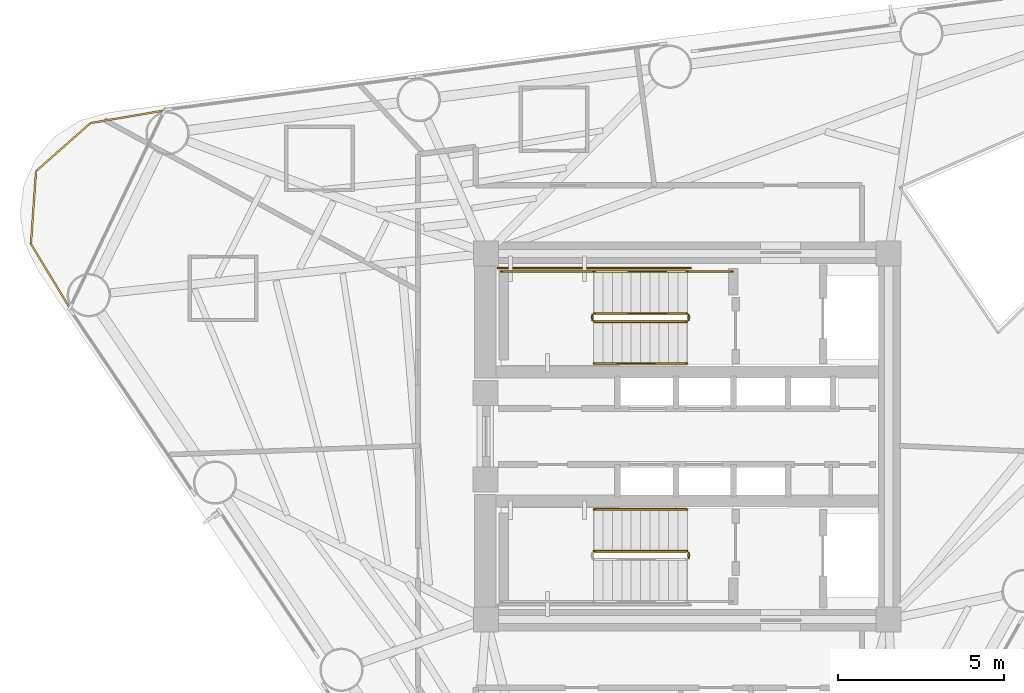
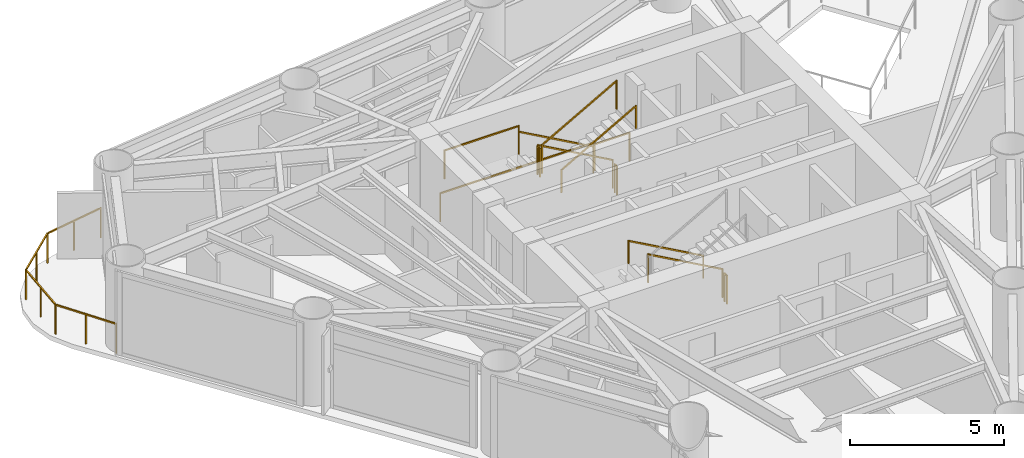
# One storey, part 8 of 9: 13 railings.
"""IFC4 building model written with IfcOpenShell, lengths in metres."""

from ifc_helpers import new_model, si_unit, direction, frame, origin, origin_2d, place, context, subcontext, project, spatial, rectangle, extrude, material, type_object, element, save


model = new_model("IFC4")

# Units and contexts
model_context = context("Model", 3, precision=1e-05, world=origin(), true_north=direction((0.0, 1.0)))
body_context = subcontext(model_context, "Body", "Model", "MODEL_VIEW")
ifc_project = project(units=[si_unit("LENGTHUNIT", "METRE"), si_unit("AREAUNIT", "SQUARE_METRE"), si_unit("VOLUMEUNIT", "CUBIC_METRE"), si_unit("PLANEANGLEUNIT", "RADIAN"), si_unit("MASSUNIT", "GRAM", prefix="KILO")], contexts=[model_context])

# Site, building, storey
site_placement = place(None, origin())
site = spatial("IfcSite", under=ifc_project, at=site_placement, CompositionType="ELEMENT")
building_placement = place(site_placement, origin())
building = spatial("IfcBuilding", under=site, at=building_placement, Name="Yunling Apex Tower", CompositionType="ELEMENT")
storey_placement = place(building_placement, frame((0.0, 0.0, 172.550048828125)))
storey = spatial("IfcBuildingStorey", under=building, at=storey_placement, Name="L42", CompositionType="ELEMENT", Elevation=172.550048828125)

# Railings
ifc_material_1 = material(Name="Bronze anodised aluminium", Category="aluminium")
railing_type_1 = type_object("IfcRailingType", Name="RL-BAL-1200", PredefinedType="BALUSTRADE", material=ifc_material_1)
railing_1_placement = place(storey_placement, frame((-18.567138671875, 3.859375, 0.0)))
element("IfcRailing", 1, at=railing_1_placement, inside=storey, type_object=railing_type_1, Name="RL-CRNSILL-L42-2", PredefinedType="BALUSTRADE", context=body_context, shape_type="SweptSolid", body=[
    extrude(rectangle(XDim=0.0439453125, YDim=0.0439453125, at=origin_2d()), origin(), (0.0, 0.0, 1.0), 1.199951171875),
    extrude(rectangle(XDim=0.0439453125, YDim=0.0439453125, at=origin_2d()), frame((-1.1669921875, 1.927001953125, 0.0)), (0.0, 0.0, 1.0), 1.199951171875),
    extrude(rectangle(XDim=0.050048828125, YDim=0.050048828125, at=origin_2d()), frame((-0.019775390625, 0.03271484375, 1.1748046875), z_axis=(-0.518013473605, 0.855372457566, 0.0), x_axis=(-0.855372457566, -0.518013473605, 0.0)), (0.0, 0.0, 1.0), 2.17626953125),
    extrude(rectangle(XDim=0.0439453125, YDim=0.0439453125, at=origin_2d()), frame((-0.58349609375, 0.96337890625, 0.0)), (0.0, 0.0, 1.0), 1.14599609375),
    extrude(rectangle(XDim=0.0439453125, YDim=0.0439453125, at=origin_2d()), frame((-1.015380859375, 4.114501953125, 0.0)), (0.0, 0.0, 1.0), 1.199951171875),
    extrude(rectangle(XDim=0.050048828125, YDim=0.050048828125, at=origin_2d()), frame((-1.164306640625, 1.96533203125, 1.1748046875), z_axis=(0.069142168872, 0.997606816578, 0.0), x_axis=(-0.997606816578, 0.069142168872, 0.0)), (0.0, 0.0, 1.0), 2.115966796875),
    extrude(rectangle(XDim=0.0439453125, YDim=0.0439453125, at=origin_2d()), frame((-1.09130859375, 3.020751953125, 0.0)), (0.0, 0.0, 1.0), 1.14599609375),
    extrude(rectangle(XDim=0.0439453125, YDim=0.0439453125, at=origin_2d()), frame((0.623046875, 5.560791015625, 0.0)), (0.0, 0.0, 1.0), 1.199951171875),
    extrude(rectangle(XDim=0.050048828125, YDim=0.050048828125, at=origin_2d()), frame((-0.986572265625, 4.139892578125, 1.1748046875), z_axis=(0.749697655483, 0.661780496361, 0.0), x_axis=(-0.661780496361, 0.749697655483, 0.0)), (0.0, 0.0, 1.0), 2.10888671875),
    extrude(rectangle(XDim=0.0439453125, YDim=0.0439453125, at=origin_2d()), frame((-0.1962890625, 4.837646484375, 0.0)), (0.0, 0.0, 1.0), 1.14599609375),
    extrude(rectangle(XDim=0.0439453125, YDim=0.0439453125, at=origin_2d()), frame((2.8447265625, 5.93896484375, 0.0)), (0.0, 0.0, 1.0), 1.199951171875),
    extrude(rectangle(XDim=0.050048828125, YDim=0.050048828125, at=origin_2d()), frame((0.660888671875, 5.567138671875, 1.1748046875), z_axis=(0.985820025914, 0.167806068147, 0.0), x_axis=(-0.167806068147, 0.985820025914, 0.0)), (0.0, 0.0, 1.0), 2.177001953125),
    extrude(rectangle(XDim=0.0439453125, YDim=0.0439453125, at=origin_2d()), frame((1.73388671875, 5.75, 0.0)), (0.0, 0.0, 1.0), 1.14599609375),
])
ifc_material_2 = material(Name="Steel Q355B", Category="steel")
railing_type_2 = type_object("IfcRailingType", Name="RL-GRD-1150", PredefinedType="GUARDRAIL", material=ifc_material_2)
railing_2_placement = place(storey_placement, frame((-0.010009765625, 3.699951171875, 0.15673828125)))
element("IfcRailing", 2, at=railing_2_placement, inside=storey, type_object=railing_type_2, Name="L42 ST-1 stair guard 1", PredefinedType="GUARDRAIL", context=body_context, shape_type="SweptSolid", body=[
    extrude(rectangle(XDim=0.0439453125, YDim=0.0439453125, at=origin_2d()), origin(), (0.0, 0.0, 1.0), 1.14990234375),
    extrude(rectangle(XDim=0.0439453125, YDim=0.0439453125, at=origin_2d()), frame((-2.800048828125, 0.0, 1.568115234375)), (0.0, 0.0, 1.0), 1.14990234375),
    extrude(rectangle(XDim=0.050048828125, YDim=0.050048828125, at=origin_2d()), frame((-0.033447265625, 0.0, 1.1435546875), z_axis=(-0.872494340497, 0.0, 0.48862421737), x_axis=(0.0, -1.0, 0.0)), (0.0, 0.0, 1.0), 3.132568359375),
])
railing_3_placement = place(storey_placement, frame((-2.860107421875, 3.64990234375, 1.724853515625)))
element("IfcRailing", 3, at=railing_3_placement, inside=storey, type_object=railing_type_2, Name="L42 ST-1 stair guard 2", PredefinedType="GUARDRAIL", context=body_context, shape_type="SweptSolid", body=[
    extrude(rectangle(XDim=0.0439453125, YDim=0.0439453125, at=origin_2d()), origin(), (0.0, 0.0, 1.0), 1.14990234375),
    extrude(rectangle(XDim=0.0439453125, YDim=0.0439453125, at=origin_2d()), frame((0.0, -0.14990234375, 0.0)), (0.0, 0.0, 1.0), 1.14990234375),
    extrude(rectangle(XDim=0.050048828125, YDim=0.050048828125, at=origin_2d()), frame((0.0, -0.038330078125, 1.125), z_axis=(0.0, -1.0, 0.0), x_axis=(1.0, 0.0, 0.0)), (0.0, 0.0, 1.0), 0.0732421875),
])
railing_4_placement = place(storey_placement, frame((-2.81005859375, 4.9599609375, 1.724853515625)))
element("IfcRailing", 4, at=railing_4_placement, inside=storey, type_object=railing_type_2, Name="L42 ST-1 stair guard 3", PredefinedType="GUARDRAIL", context=body_context, shape_type="SweptSolid", body=[
    extrude(rectangle(XDim=0.0439453125, YDim=0.0439453125, at=origin_2d()), origin(), (0.0, 0.0, 1.0), 1.14990234375),
    extrude(rectangle(XDim=0.0439453125, YDim=0.0439453125, at=origin_2d()), frame((-2.7900390625, 0.0, 0.0)), (0.0, 0.0, 1.0), 1.14990234375),
    extrude(rectangle(XDim=0.050048828125, YDim=0.050048828125, at=origin_2d()), frame((-0.038330078125, 0.0, 1.125), z_axis=(-1.0, 0.0, 0.0), x_axis=(0.0, -1.0, 0.0)), (0.0, 0.0, 1.0), 2.71337890625),
])
railing_5_placement = place(storey_placement, frame((-2.81005859375, 3.449951171875, 1.8818359375)))
element("IfcRailing", 5, at=railing_5_placement, inside=storey, type_object=railing_type_2, Name="L42 ST-1 stair guard 4", PredefinedType="GUARDRAIL", context=body_context, shape_type="SweptSolid", body=[
    extrude(rectangle(XDim=0.0439453125, YDim=0.0439453125, at=origin_2d()), origin(), (0.0, 0.0, 1.0), 1.14990234375),
    extrude(rectangle(XDim=0.0439453125, YDim=0.0439453125, at=origin_2d()), frame((2.800048828125, 0.0, 1.568115234375)), (0.0, 0.0, 1.0), 1.14990234375),
    extrude(rectangle(XDim=0.050048828125, YDim=0.050048828125, at=origin_2d()), frame((0.033447265625, 0.0, 1.1435546875), z_axis=(0.872494340497, 0.0, 0.48862421737), x_axis=(0.0, 1.0, 0.0)), (0.0, 0.0, 1.0), 3.132568359375),
])
railing_6_placement = place(storey_placement, frame((0.0400390625, 3.64990234375, 0.0)))
element("IfcRailing", 6, at=railing_6_placement, inside=storey, type_object=railing_type_2, Name="L42 ST-1 stair guard 5", PredefinedType="GUARDRAIL", context=body_context, shape_type="SweptSolid", body=[
    extrude(rectangle(XDim=0.0439453125, YDim=0.0439453125, at=origin_2d()), origin(), (0.0, 0.0, 1.0), 1.14990234375),
    extrude(rectangle(XDim=0.0439453125, YDim=0.0439453125, at=origin_2d()), frame((0.0, -0.14990234375, 0.0)), (0.0, 0.0, 1.0), 1.14990234375),
    extrude(rectangle(XDim=0.050048828125, YDim=0.050048828125, at=origin_2d()), frame((0.0, -0.038330078125, 1.125), z_axis=(0.0, -1.0, 0.0), x_axis=(1.0, 0.0, 0.0)), (0.0, 0.0, 1.0), 0.0732421875),
])
railing_7_placement = place(storey_placement, frame((1.35009765625, 4.9599609375, 0.0)))
element("IfcRailing", 7, at=railing_7_placement, inside=storey, type_object=railing_type_2, Name="L42 ST-1 stair guard 6", PredefinedType="GUARDRAIL", context=body_context, shape_type="SweptSolid", body=[
    extrude(rectangle(XDim=0.0439453125, YDim=0.0439453125, at=origin_2d()), origin(), (0.0, 0.0, 1.0), 1.14990234375),
    extrude(rectangle(XDim=0.0439453125, YDim=0.0439453125, at=origin_2d()), frame((-1.360107421875, 0.0, 0.0)), (0.0, 0.0, 1.0), 1.14990234375),
    extrude(rectangle(XDim=0.050048828125, YDim=0.050048828125, at=origin_2d()), frame((-0.038330078125, 0.0, 1.125), z_axis=(-1.0, 0.0, 0.0), x_axis=(0.0, -1.0, 0.0)), (0.0, 0.0, 1.0), 1.283447265625),
])
railing_8_placement = place(storey_placement, frame((0.090087890625, 5.06005859375, 0.0)))
element("IfcRailing", 8, at=railing_8_placement, inside=storey, type_object=railing_type_2, Name="L42 ST-1 stair guard 7", PredefinedType="GUARDRAIL", context=body_context, shape_type="SweptSolid", body=[
    extrude(rectangle(XDim=0.0439453125, YDim=0.0439453125, at=origin_2d()), origin(), (0.0, 0.0, 1.0), 1.14990234375),
    extrude(rectangle(XDim=0.0439453125, YDim=0.0439453125, at=origin_2d()), frame((-5.7900390625, 0.0, 0.0)), (0.0, 0.0, 1.0), 1.14990234375),
    extrude(rectangle(XDim=0.050048828125, YDim=0.050048828125, at=origin_2d()), frame((-0.038330078125, 0.0, 1.125), z_axis=(-1.0, 0.0, 0.0), x_axis=(0.0, -1.0, 0.0)), (0.0, 0.0, 1.0), 5.71337890625),
])
railing_9_placement = place(storey_placement, frame((-0.010009765625, -3.449951171875, 0.15673828125)))
element("IfcRailing", 9, at=railing_9_placement, inside=storey, type_object=railing_type_2, Name="L42 ST-2 stair guard 1", PredefinedType="GUARDRAIL", context=body_context, shape_type="SweptSolid", body=[
    extrude(rectangle(XDim=0.0439453125, YDim=0.0439453125, at=origin_2d()), origin(), (0.0, 0.0, 1.0), 1.14990234375),
    extrude(rectangle(XDim=0.0439453125, YDim=0.0439453125, at=origin_2d()), frame((-2.800048828125, 0.0, 1.568115234375)), (0.0, 0.0, 1.0), 1.14990234375),
    extrude(rectangle(XDim=0.050048828125, YDim=0.050048828125, at=origin_2d()), frame((-0.033447265625, 0.0, 1.1435546875), z_axis=(-0.872494340497, 0.0, 0.48862421737), x_axis=(0.0, -1.0, 0.0)), (0.0, 0.0, 1.0), 3.132568359375),
])
railing_10_placement = place(storey_placement, frame((0.0400390625, -3.5, 0.0)))
element("IfcRailing", 10, at=railing_10_placement, inside=storey, type_object=railing_type_2, Name="L42 ST-2 stair guard 5", PredefinedType="GUARDRAIL", context=body_context, shape_type="SweptSolid", body=[
    extrude(rectangle(XDim=0.0439453125, YDim=0.0439453125, at=origin_2d()), origin(), (0.0, 0.0, 1.0), 1.14990234375),
    extrude(rectangle(XDim=0.0439453125, YDim=0.0439453125, at=origin_2d()), frame((0.0, -0.14990234375, 0.0)), (0.0, 0.0, 1.0), 1.14990234375),
    extrude(rectangle(XDim=0.050048828125, YDim=0.050048828125, at=origin_2d()), frame((0.0, -0.038330078125, 1.125), z_axis=(0.0, -1.0, 0.0), x_axis=(1.0, 0.0, 0.0)), (0.0, 0.0, 1.0), 0.0732421875),
])
ifc_material_3 = material(Name="Silver anodised aluminium", Category="aluminium")
railing_type_3 = type_object("IfcRailingType", Name="RL-HND-900", PredefinedType="HANDRAIL", material=ifc_material_3)
railing_11_placement = place(storey_placement, frame((-0.010009765625, 4.9599609375, 0.15673828125)))
element("IfcRailing", 11, at=railing_11_placement, inside=storey, type_object=railing_type_3, Name="L42 ST-1 stair handrail 1", PredefinedType="HANDRAIL", context=body_context, shape_type="SweptSolid", body=[
    extrude(rectangle(XDim=0.0439453125, YDim=0.0439453125, at=origin_2d()), origin(), (0.0, 0.0, 1.0), 0.919921875),
    extrude(rectangle(XDim=0.0439453125, YDim=0.0439453125, at=origin_2d()), frame((-2.800048828125, 0.0, 1.568115234375)), (0.0, 0.0, 1.0), 0.919921875),
    extrude(rectangle(XDim=0.050048828125, YDim=0.050048828125, at=origin_2d()), frame((-0.033447265625, 0.0, 0.91357421875), z_axis=(-0.872494340497, 0.0, 0.48862421737), x_axis=(0.0, -1.0, 0.0)), (0.0, 0.0, 1.0), 3.132568359375),
])
railing_12_placement = place(storey_placement, frame((-2.81005859375, 2.18994140625, 1.8818359375)))
element("IfcRailing", 12, at=railing_12_placement, inside=storey, type_object=railing_type_3, Name="L42 ST-1 stair handrail 2", PredefinedType="HANDRAIL", context=body_context, shape_type="SweptSolid", body=[
    extrude(rectangle(XDim=0.0439453125, YDim=0.0439453125, at=origin_2d()), origin(), (0.0, 0.0, 1.0), 0.919921875),
    extrude(rectangle(XDim=0.0439453125, YDim=0.0439453125, at=origin_2d()), frame((2.800048828125, 0.0, 1.568115234375)), (0.0, 0.0, 1.0), 0.919921875),
    extrude(rectangle(XDim=0.050048828125, YDim=0.050048828125, at=origin_2d()), frame((0.033447265625, 0.0, 0.91357421875), z_axis=(0.872494340497, 0.0, 0.48862421737), x_axis=(0.0, 1.0, 0.0)), (0.0, 0.0, 1.0), 3.132568359375),
])
railing_13_placement = place(storey_placement, frame((-0.010009765625, -2.18994140625, 0.15673828125)))
element("IfcRailing", 13, at=railing_13_placement, inside=storey, type_object=railing_type_3, Name="L42 ST-2 stair handrail 1", PredefinedType="HANDRAIL", context=body_context, shape_type="SweptSolid", body=[
    extrude(rectangle(XDim=0.0439453125, YDim=0.0439453125, at=origin_2d()), origin(), (0.0, 0.0, 1.0), 0.919921875),
    extrude(rectangle(XDim=0.0439453125, YDim=0.0439453125, at=origin_2d()), frame((-2.800048828125, 0.0, 1.568115234375)), (0.0, 0.0, 1.0), 0.919921875),
    extrude(rectangle(XDim=0.050048828125, YDim=0.050048828125, at=origin_2d()), frame((-0.033447265625, 0.0, 0.91357421875), z_axis=(-0.872494340497, 0.0, 0.48862421737), x_axis=(0.0, -1.0, 0.0)), (0.0, 0.0, 1.0), 3.132568359375),
])

save(model, "model.ifc")
